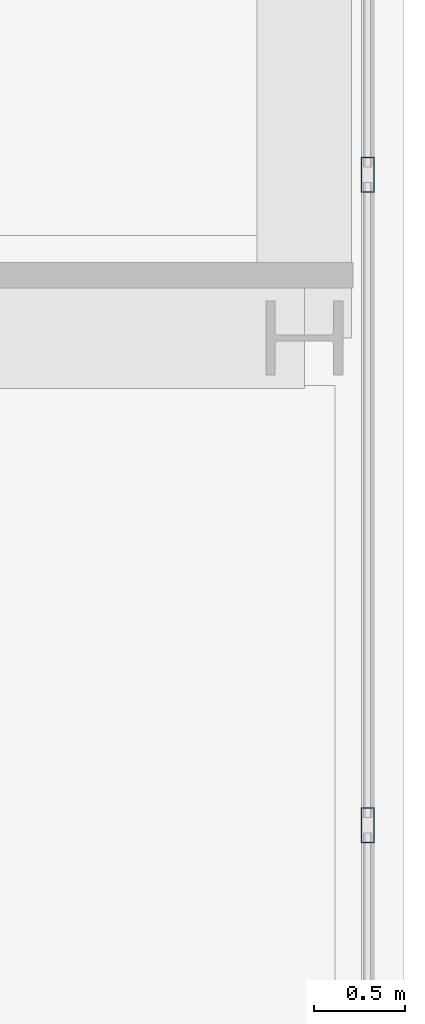
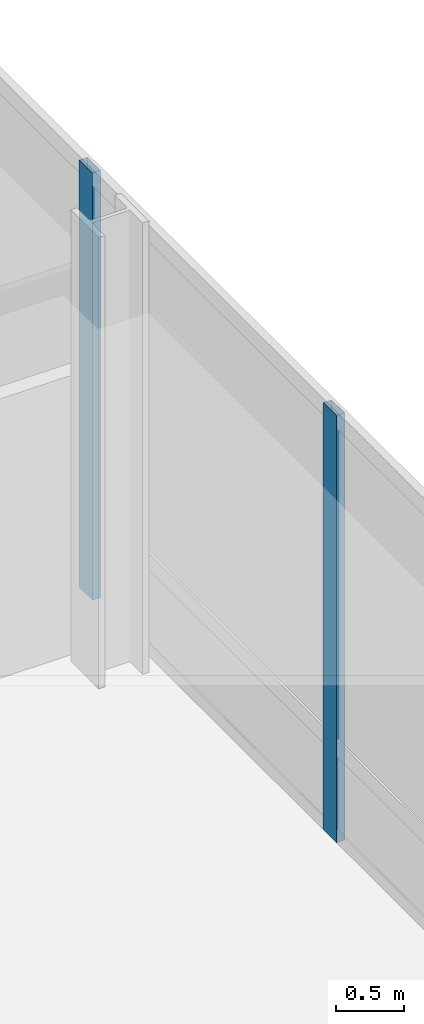
# One storey, part 18 of 37: 2 members, 1 element without a shape of its own.
"""IFC4 building model written with IfcOpenShell, lengths in metres."""

from ifc_helpers import new_model, si_unit, direction, frame, origin, origin_2d, place, context, subcontext, project, spatial, hollow_rectangle, extrude, material, material_profile, profile_set, type_object, element, aggregate, save


model = new_model("IFC4")

# Units and contexts
model_context = context("Model", 3, precision=1e-05, world=origin(), true_north=direction((0.0, 1.0)))
body_context = subcontext(model_context, "Body", "Model", "MODEL_VIEW")
ifc_project = project(units=[si_unit("LENGTHUNIT", "METRE"), si_unit("AREAUNIT", "SQUARE_METRE"), si_unit("VOLUMEUNIT", "CUBIC_METRE"), si_unit("PLANEANGLEUNIT", "RADIAN"), si_unit("MASSUNIT", "GRAM", prefix="KILO")], contexts=[model_context])

# Site, building, storey
site_placement = place(None, origin())
site = spatial("IfcSite", under=ifc_project, at=site_placement, CompositionType="ELEMENT")
building_placement = place(site_placement, origin())
building = spatial("IfcBuilding", under=site, at=building_placement, Name="Punatoya Terracotta Tower", CompositionType="ELEMENT")
storey_placement = place(building_placement, frame((0.0, 0.0, 224.85009765625)))
storey = spatial("IfcBuildingStorey", under=building, at=storey_placement, Name="L53", CompositionType="ELEMENT", Elevation=224.85009765625)

# Curtain wall, members
ifc_material_1 = material(Name="Aluminium 6063-T6 + Double Low-E Glass", Category="aluminium")
curtain_wall_type = type_object("IfcCurtainWallType", Name="CW-M2", PredefinedType="NOTDEFINED", material=ifc_material_1)
curtain_wall_placement = place(storey_placement, origin())
curtain_wall = element("IfcCurtainWall", 1, at=curtain_wall_placement, inside=storey, type_object=curtain_wall_type, Name="L53 Curtain Wall CW-L53-E04-1", PredefinedType="NOTDEFINED")
ifc_material_2 = material(Name="Aluminium 6063-T6", Category="aluminium")
ifc_material_profile = material_profile(ifc_material_2, hollow_rectangle(XDim=0.072021484375, YDim=0.195068359375, WallThickness=0.00439453125, at=origin_2d()))
ifc_profile_set = profile_set([ifc_material_profile], Name="Aluminium 6063-T6")
member_type = type_object("IfcMemberType", Name="CW-MUL-M2", PredefinedType="MULLION", material=ifc_profile_set)
member_1_placement = place(storey_placement, frame((24.85009765625, -6.087646484375, 0.0), z_axis=(0.0, 0.0, 1.0), x_axis=(1.0, 0.0, 0.0)))
member_1 = element("IfcMember", 2, at=member_1_placement, type_object=member_type, Name="CW-L53-E04-1 Mullion 03", PredefinedType="MULLION", context=body_context, shape_type="SweptSolid", body=[
    extrude(hollow_rectangle(XDim=0.072021484375, YDim=0.195068359375, WallThickness=0.00439453125, at=origin_2d()), origin(), (0.0, 0.0, 1.0), 3.829833984375),
])
member_2_placement = place(storey_placement, frame((24.85009765625, -2.500244140625, 0.0), z_axis=(0.0, 0.0, 1.0), x_axis=(1.0, 0.0, 0.0)))
member_2 = element("IfcMember", 3, at=member_2_placement, type_object=member_type, Name="CW-L53-E04-1 Mullion 04", PredefinedType="MULLION", context=body_context, shape_type="SweptSolid", body=[
    extrude(hollow_rectangle(XDim=0.072021484375, YDim=0.195068359375, WallThickness=0.00439453125, at=origin_2d()), origin(), (0.0, 0.0, 1.0), 3.829833984375),
])
aggregate(curtain_wall, [member_1, member_2])

save(model, "model.ifc")
